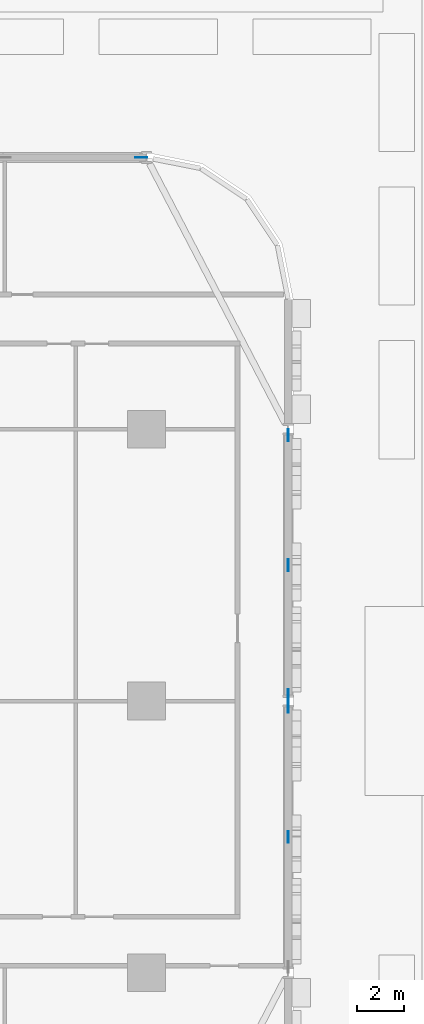
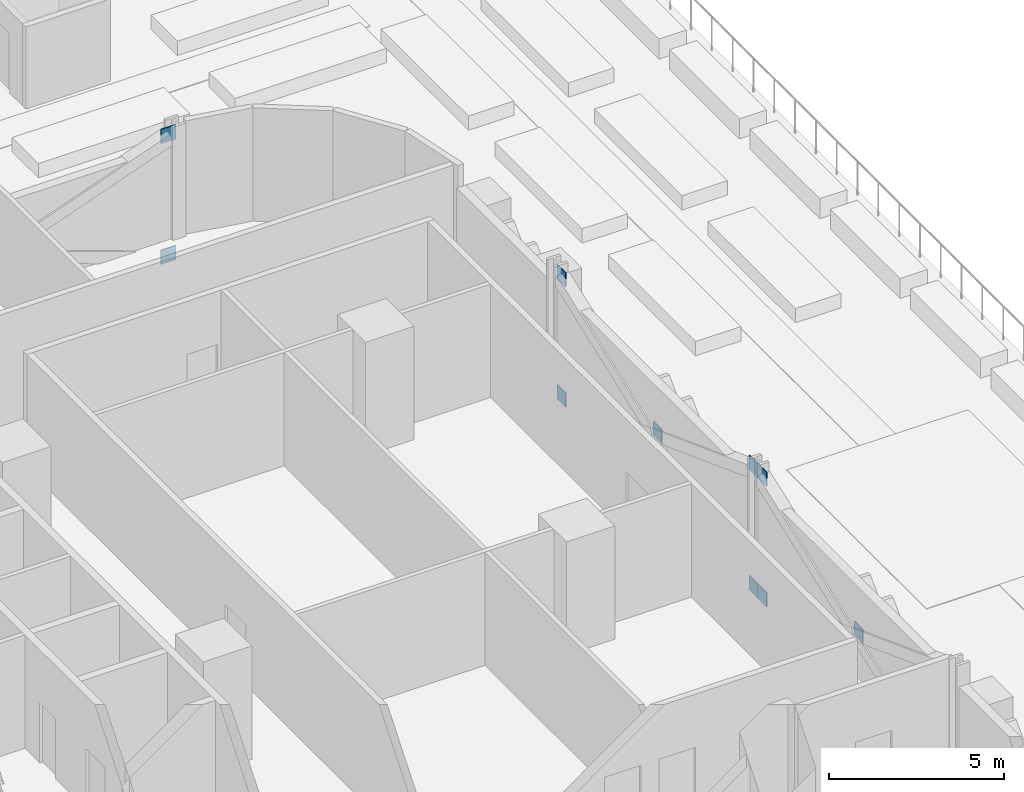
# One storey, part 27 of 39: 10 discrete accessories.
"""IFC4 building model written with IfcOpenShell, lengths in metres."""

from ifc_helpers import new_model, si_unit, direction, frame, origin, origin_2d, place, context, subcontext, project, spatial, rectangle, extrude, material, layer, layer_set, type_object, element, save


model = new_model("IFC4")

# Units and contexts
model_context = context("Model", 3, precision=1e-05, world=origin(), true_north=direction((0.0, 1.0)))
body_context = subcontext(model_context, "Body", "Model", "MODEL_VIEW")
ifc_project = project(units=[si_unit("LENGTHUNIT", "METRE"), si_unit("AREAUNIT", "SQUARE_METRE"), si_unit("VOLUMEUNIT", "CUBIC_METRE"), si_unit("PLANEANGLEUNIT", "RADIAN"), si_unit("MASSUNIT", "GRAM", prefix="KILO")], contexts=[model_context])

# Site, building, storey
site_placement = place(None, origin())
site = spatial("IfcSite", under=ifc_project, at=site_placement, CompositionType="ELEMENT")
building_placement = place(site_placement, origin())
building = spatial("IfcBuilding", under=site, at=building_placement, Name="Mahtab Terrace Research Tower", CompositionType="ELEMENT")
storey_placement = place(building_placement, frame((0.0, 0.0, 7.199951171875)))
storey = spatial("IfcBuildingStorey", under=building, at=storey_placement, Name="L01", CompositionType="ELEMENT", Elevation=7.199951171875)

# Discrete accessories
ifc_material = material(Name="Steel ASTM A992 Gr 50", Category="steel")
ifc_layer = layer(ifc_material, 0.030029296875)
ifc_layer_set = layer_set([ifc_layer], Name="Gusset plate 500x500x30")
discrete_accessory_type = type_object("IfcDiscreteAccessoryType", Name="Gusset plate 500x500x30", PredefinedType="USERDEFINED", material=ifc_layer_set)
for number, where, z_axis, x_axis, name in (
    (1, (41.7841796875, 23.0, -0.89111328125), (0.0, 0.0, 1.0), (1.0, 0.0, 0.0), "Gusset plate"),
    (2, (41.7841796875, 23.0, 3.33154296875), (0.0, 0.0, 1.0), (1.0, 0.0, 0.0), "Gusset plate"),
    (3, (48.0, -5.75, 1.181640625), (0.0, 0.0, 1.0), (0.0, 1.0, 0.0), "Gusset plate"),
    (4, (48.0, -0.248779296875, -0.875244140625), (0.0, 0.0, 1.0), (0.0, 1.0, 0.0), "Gusset plate"),
    (5, (48.0, -0.248779296875, 3.33154296875), (0.0, 0.0, 1.0), (0.0, 1.0, 0.0), "Gusset plate"),
    (6, (48.0, 0.248779296875, -0.875244140625), (0.0, 0.0, 1.0), (0.0, 1.0, 0.0), "Gusset plate"),
    (7, (48.0, 0.248779296875, 3.33154296875), (0.0, 0.0, 1.0), (0.0, 1.0, 0.0), "Gusset plate"),
    (8, (48.0, 5.75, 1.181640625), (0.0, 0.0, 1.0), (0.0, 1.0, 0.0), "Gusset plate"),
    (9, (48.0, 11.251220703125, -0.875244140625), (0.0, 0.0, 1.0), (0.0, 1.0, 0.0), "Gusset plate"),
    (10, (48.0, 11.251220703125, 3.33154296875), (0.0, 0.0, 1.0), (0.0, 1.0, 0.0), "Gusset plate"),
):
    element("IfcDiscreteAccessory", number, at=place(storey_placement, frame(where, z_axis=z_axis, x_axis=x_axis)), inside=storey, type_object=discrete_accessory_type, Name=name, ObjectType="GUSSET PLATE", PredefinedType="USERDEFINED", context=body_context, shape_type="SweptSolid", body=[
        extrude(rectangle(XDim=0.5, YDim=0.030029296875, at=origin_2d()), origin(), (0.0, 0.0, 1.0), 0.5),
    ])

save(model, "model.ifc")
